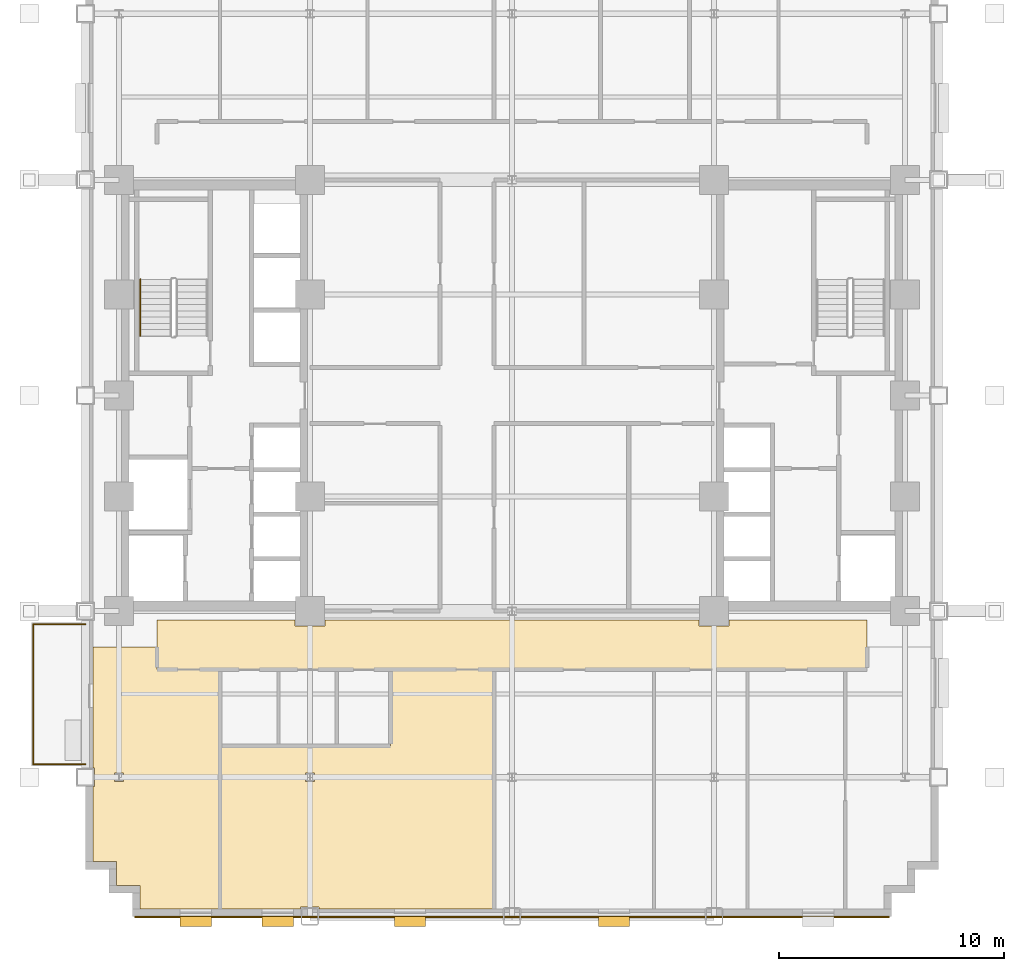
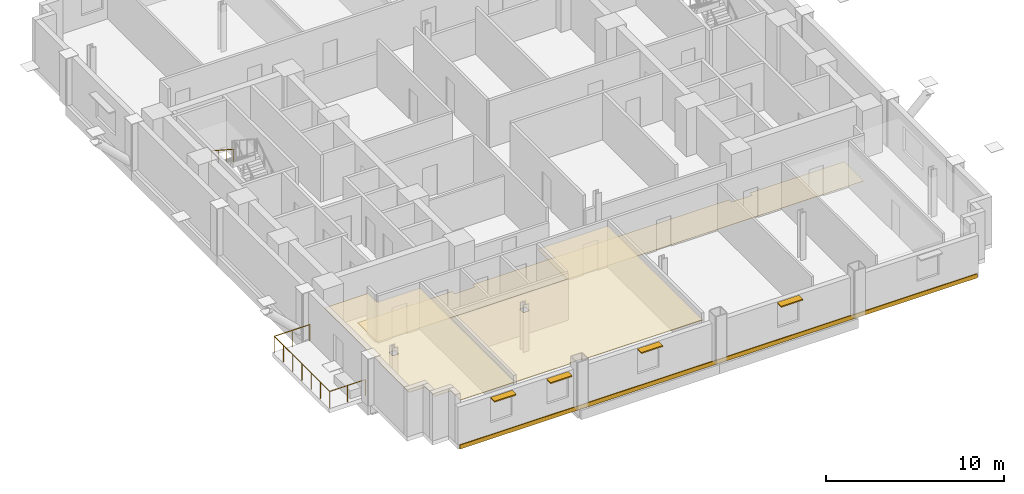
# One storey, part 9 of 12: 4 coverings, 4 shading devices, 2 railings.
"""IFC4 building model written with IfcOpenShell, lengths in metres."""

from ifc_helpers import new_model, si_unit, direction, frame, origin, origin_2d, place, context, subcontext, project, spatial, polyline, rectangle, circle, outline, extrude, source, transform, mapped, material, layer, layer_set, type_object, type_shapes, element, save


model = new_model("IFC4")

# Units and contexts
model_context = context("Model", 3, precision=1e-05, world=origin(), true_north=direction((0.0, 1.0)))
body_context = subcontext(model_context, "Body", "Model", "MODEL_VIEW")
ifc_project = project(units=[si_unit("LENGTHUNIT", "METRE"), si_unit("AREAUNIT", "SQUARE_METRE"), si_unit("VOLUMEUNIT", "CUBIC_METRE"), si_unit("PLANEANGLEUNIT", "RADIAN"), si_unit("MASSUNIT", "GRAM", prefix="KILO")], contexts=[model_context])

# Site, building, storey
site_placement = place(None, origin())
site = spatial("IfcSite", under=ifc_project, at=site_placement, CompositionType="ELEMENT")
building_placement = place(site_placement, origin())
building = spatial("IfcBuilding", under=site, at=building_placement, Name="Nuvemarco Arch Tower", CompositionType="ELEMENT")
storey_placement = place(building_placement, frame((0.0, 0.0, 53.14990234375)))
storey = spatial("IfcBuildingStorey", under=building, at=storey_placement, Name="L13", CompositionType="ELEMENT", Elevation=53.14990234375)

# Coverings
ifc_material_1 = material(Name="Mineral acoustic ceiling tile")
ifc_layer_1 = layer(ifc_material_1, 0.0400390625, Name="COV-ACOUSTIC-CLG")
ifc_layer_set_1 = layer_set([ifc_layer_1], Name="Mineral acoustic ceiling tile")
covering_type_1 = type_object("IfcCoveringType", Name="COV-ACOUSTIC-CLG", PredefinedType="CEILING", material=ifc_layer_set_1)
covering_1_placement = place(storey_placement, frame((0.0, 0.0, 2.72998046875)))
element("IfcCovering", 1, at=covering_1_placement, inside=storey, type_object=covering_type_1, Name="L13 suspended acoustic ceiling 1", PredefinedType="CEILING", context=body_context, shape_type="SweptSolid", body=[
    extrude(outline(polyline([(-5.39990234375, -15.60009765625), (-5.39990234375, -12.199951171875), (-3.199951171875, -12.199951171875), (-0.800048828125, -12.199951171875), (-0.800048828125, -22.860107421875), (-8.5849609375, -22.860107421875), (-8.5849609375, -22.784912109375), (-9.4150390625, -22.784912109375), (-9.4150390625, -22.860107421875), (-13.0, -22.860107421875), (-13.0, -15.60009765625), (-10.39990234375, -15.60009765625), (-7.800048828125, -15.60009765625), (-5.39990234375, -15.60009765625)]), holes=[polyline([(-8.804931640625, -17.195068359375), (-8.804931640625, -16.804931640625), (-9.195068359375, -16.804931640625), (-9.195068359375, -17.195068359375), (-8.804931640625, -17.195068359375)])]), origin(), (0.0, 0.0, 1.0), 0.0400390625),
])
covering_2_placement = place(storey_placement, frame((0.0, 0.0, 2.72998046875)))
element("IfcCovering", 2, at=covering_2_placement, inside=storey, type_object=covering_type_1, Name="L13 suspended acoustic ceiling 4", PredefinedType="CEILING", context=body_context, shape_type="SweptSolid", body=[
    extrude(outline(polyline([(-18.659912109375, -20.760009765625), (-18.659912109375, -17.4150390625), (-18.5849609375, -17.4150390625), (-18.5849609375, -16.5849609375), (-18.659912109375, -16.5849609375), (-18.659912109375, -11.199951171875), (-15.800048828125, -11.199951171875), (-15.800048828125, -12.199951171875), (-13.0, -12.199951171875), (-13.0, -15.60009765625), (-13.0, -22.860107421875), (-16.56005859375, -22.860107421875), (-16.56005859375, -21.81005859375), (-17.610107421875, -21.81005859375), (-17.610107421875, -20.760009765625), (-18.659912109375, -20.760009765625)]), holes=[polyline([(-17.304931640625, -16.804931640625), (-17.695068359375, -16.804931640625), (-17.695068359375, -17.195068359375), (-17.304931640625, -17.195068359375), (-17.304931640625, -16.804931640625)])]), origin(), (0.0, 0.0, 1.0), 0.0400390625),
])
ifc_material_2 = material(Name="Polished granite terrazzostone flooring", Category="masonry")
ifc_layer_2 = layer(ifc_material_2, 0.02001953125, Name="COV-LOBBY-FLR")
ifc_layer_set_2 = layer_set([ifc_layer_2], Name="Polished granite terrazzostone flooring")
covering_type_2 = type_object("IfcCoveringType", Name="COV-LOBBY-FLR", PredefinedType="FLOORING", material=ifc_layer_set_2)
covering_3_placement = place(storey_placement, origin())
element("IfcCovering", 3, at=covering_3_placement, inside=storey, type_object=covering_type_2, Name="L13 polished terrazzo lobby flooring", PredefinedType="FLOORING", context=body_context, shape_type="SweptSolid", body=[
    extrude(outline(polyline([(-9.6650390625, -10.264892578125), (-8.3349609375, -10.264892578125), (-8.3349609375, -10.0), (8.3349609375, -10.0), (8.3349609375, -10.264892578125), (9.6650390625, -10.264892578125), (9.6650390625, -10.0), (15.800048828125, -10.0), (15.800048828125, -12.199951171875), (-0.800048828125, -12.199951171875), (-3.199951171875, -12.199951171875), (-15.800048828125, -12.199951171875), (-15.800048828125, -10.0), (-9.6650390625, -10.0), (-9.6650390625, -10.264892578125)])), origin(), (0.0, 0.0, 1.0), 0.02001953125),
])

# Railings
ifc_material_3 = material(Name="Brushed stainless steel handrail", Category="steel")
railing_type_1 = type_object("IfcRailingType", Name="RL-HANDRAIL-900", PredefinedType="HANDRAIL", material=ifc_material_3)
railing_1_placement = place(storey_placement, frame((-16.550048828125, 5.169921875, 2.007568359375)))
element("IfcRailing", 4, at=railing_1_placement, inside=storey, type_object=railing_type_1, Name="L13 ST-1 stair handrail 2", PredefinedType="HANDRAIL", context=body_context, shape_type="SweptSolid", body=[
    extrude(circle(Radius=0.02392578125, at=origin_2d()), frame((0.0, 0.0, 0.8759765625), z_axis=(0.0, -0.837749427056, 0.546054848405), x_axis=(1.0, 0.0, 0.0)), (0.0, 0.0, 1.0), 3.008056640625),
    extrude(circle(Radius=0.02099609375, at=origin_2d()), origin(), (0.0, 0.0, 1.0), 0.851806640625),
    extrude(circle(Radius=0.02099609375, at=origin_2d()), frame((0.0, -0.840087890625, 0.547607421875)), (0.0, 0.0, 1.0), 0.851806640625),
    extrude(circle(Radius=0.02099609375, at=origin_2d()), frame((0.0, -1.679931640625, 1.094970703125)), (0.0, 0.0, 1.0), 0.851806640625),
    extrude(circle(Radius=0.02099609375, at=origin_2d()), frame((0.0, -2.52001953125, 1.642578125)), (0.0, 0.0, 1.0), 0.851806640625),
])
ifc_material_4 = material(Name="Dark anodised balustrade steel S355", Category="steel")
railing_type_2 = type_object("IfcRailingType", Name="RL-TERR-GUARD", PredefinedType="BALUSTRADE", material=ifc_material_4)
railing_2_placement = place(storey_placement, frame((-19.0, -16.419921875, 0.0)))
element("IfcRailing", 5, at=railing_2_placement, inside=storey, type_object=railing_type_2, Name="L13 spiral terrace perimeter balustrade guard", PredefinedType="BALUSTRADE", context=body_context, shape_type="SweptSolid", body=[
    extrude(circle(Radius=0.02392578125, at=origin_2d()), frame((0.0, 0.0, 1.1259765625), z_axis=(-1.0, 0.0, 0.0), x_axis=(0.0, -1.0, 0.0)), (0.0, 0.0, 1.0), 2.320068359375),
    extrude(circle(Radius=0.02392578125, at=origin_2d()), frame((-2.320068359375, 0.0, 1.1259765625), z_axis=(0.0, 1.0, 0.0), x_axis=(-1.0, 0.0, 0.0)), (0.0, 0.0, 1.0), 6.239990234375),
    extrude(circle(Radius=0.02392578125, at=origin_2d()), frame((-2.320068359375, 6.239990234375, 1.1259765625), z_axis=(1.0, 0.0, 0.0), x_axis=(0.0, 1.0, 0.0)), (0.0, 0.0, 1.0), 2.320068359375),
    extrude(circle(Radius=0.02099609375, at=origin_2d()), origin(), (0.0, 0.0, 1.0), 1.101806640625),
    extrude(circle(Radius=0.02099609375, at=origin_2d()), frame((-1.16015625, 0.0, 0.0)), (0.0, 0.0, 1.0), 1.101806640625),
    extrude(circle(Radius=0.02099609375, at=origin_2d()), frame((-2.320068359375, 0.0, 0.0)), (0.0, 0.0, 1.0), 1.101806640625),
    extrude(circle(Radius=0.02099609375, at=origin_2d()), frame((-2.320068359375, 1.0400390625, 0.0)), (0.0, 0.0, 1.0), 1.101806640625),
    extrude(circle(Radius=0.02099609375, at=origin_2d()), frame((-2.320068359375, 2.080078125, 0.0)), (0.0, 0.0, 1.0), 1.101806640625),
    extrude(circle(Radius=0.02099609375, at=origin_2d()), frame((-2.320068359375, 3.1201171875, 0.0)), (0.0, 0.0, 1.0), 1.101806640625),
    extrude(circle(Radius=0.02099609375, at=origin_2d()), frame((-2.320068359375, 4.159912109375, 0.0)), (0.0, 0.0, 1.0), 1.101806640625),
    extrude(circle(Radius=0.02099609375, at=origin_2d()), frame((-2.320068359375, 5.199951171875, 0.0)), (0.0, 0.0, 1.0), 1.101806640625),
    extrude(circle(Radius=0.02099609375, at=origin_2d()), frame((-2.320068359375, 6.239990234375, 0.0)), (0.0, 0.0, 1.0), 1.101806640625),
    extrude(circle(Radius=0.02099609375, at=origin_2d()), frame((-1.16015625, 6.239990234375, 0.0)), (0.0, 0.0, 1.0), 1.101806640625),
    extrude(circle(Radius=0.02099609375, at=origin_2d()), frame((0.0, 6.239990234375, 0.0)), (0.0, 0.0, 1.0), 1.101806640625),
])

# Shading devices
ifc_material_5 = material(Name="Anodised aluminium 6063-T6", Category="aluminium")
shading_device_type = type_object("IfcShadingDeviceType", Name="SHD-BRISE-NARROW", PredefinedType="USERDEFINED", material=ifc_material_5)
shared_shape_1 = source(origin(), body_context, "Body", "SweptSolid", [
    extrude(rectangle(XDim=1.39990234375, YDim=0.449951171875, at=origin_2d()), origin(), (0.0, 0.0, 1.0), 0.080078125),
])
type_shapes(shading_device_type, [shared_shape_1])
for number, where, z_axis, x_axis, name in (
    (6, (-14.07861328125, -23.4150390625, 2.455078125), (0.0, 0.0, 1.0), (1.0, 0.0, 0.0), "L13 horizontal brise-soleil sunshade"),
    (7, (-10.435791015625, -23.4150390625, 2.455078125), (0.0, 0.0, 1.0), (1.0, 0.0, 0.0), "L13 horizontal brise-soleil sunshade"),
    (8, (-4.54296875, -23.4150390625, 2.455078125), (0.0, 0.0, 1.0), (1.0, 0.0, 0.0), "L13 horizontal brise-soleil sunshade"),
    (9, (4.54296875, -23.4150390625, 2.455078125), (0.0, 0.0, 1.0), (1.0, 0.0, 0.0), "L13 horizontal brise-soleil sunshade"),
):
    element("IfcShadingDevice", number, at=place(storey_placement, frame(where, z_axis=z_axis, x_axis=x_axis)), inside=storey, type_object=shading_device_type, Name=name, ObjectType="SUNSHADE", PredefinedType="USERDEFINED", context=body_context, shape_type="MappedRepresentation", body=[
        mapped(shared_shape_1, transform((0.0, 0.0, 0.0), scale=1.0)),
    ])

# Covering
ifc_material_6 = material(Name="Precast concrete C45/55", Category="concrete")
ifc_layer_3 = layer(ifc_material_6, 0.06005859375, Name="COV-SPANDREL-CLAD")
ifc_layer_set_3 = layer_set([ifc_layer_3], Name="Precast concrete C45/55")
covering_type_3 = type_object("IfcCoveringType", Name="COV-SPANDREL-CLAD", PredefinedType="CLADDING", material=ifc_layer_set_3)
shared_shape_2 = source(origin(), body_context, "Body", "SweptSolid", [
    extrude(rectangle(XDim=33.60009765625, YDim=0.06005859375, at=origin_2d()), origin(), (0.0, 0.0, 1.0), 0.280029296875),
])
type_shapes(covering_type_3, [shared_shape_2])
covering_4_placement = place(storey_placement, frame((0.0, -23.22900390625, -0.27978515625), z_axis=(0.0, 0.0, 1.0), x_axis=(1.0, 0.0, 0.0)))
element("IfcCovering", 10, at=covering_4_placement, inside=storey, type_object=covering_type_3, Name="L13 precast spandrel edge cladding south", PredefinedType="CLADDING", context=body_context, shape_type="MappedRepresentation", body=[
    mapped(shared_shape_2, transform((0.0, 0.0, 0.0), scale=1.0)),
])

save(model, "model.ifc")
